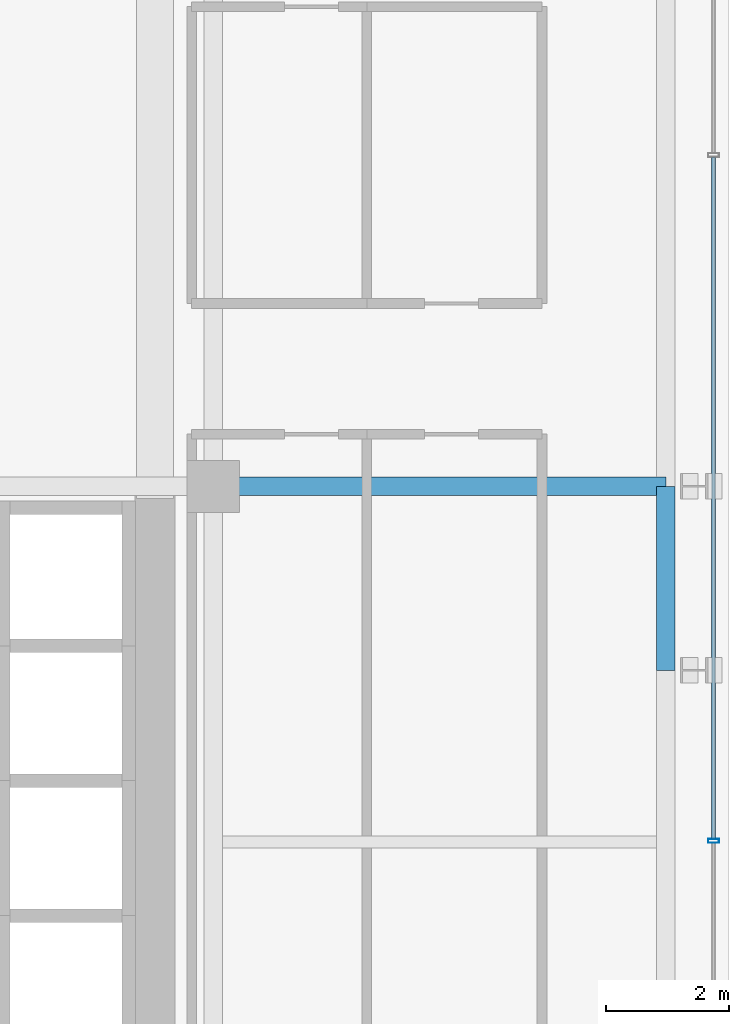
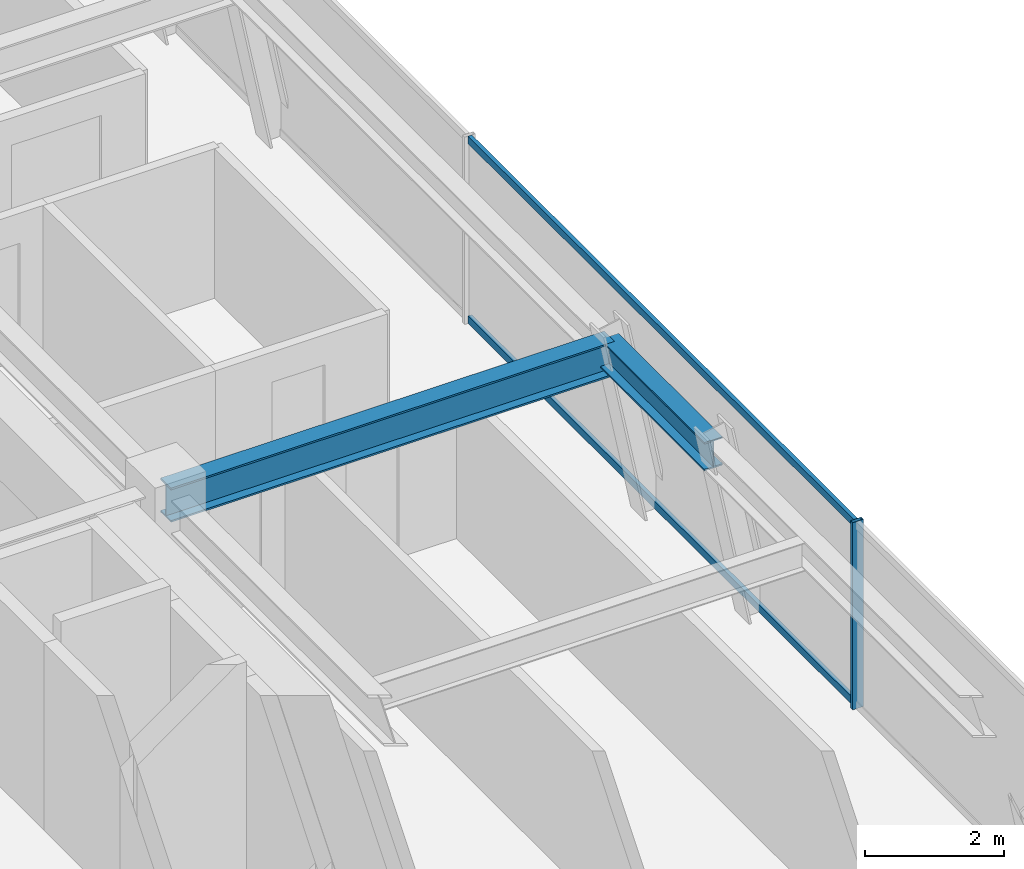
# One storey, part 15 of 35: 3 members, 2 beams, 1 element without a shape of its own.
"""IFC4 building model written with IfcOpenShell, lengths in metres."""

from ifc_helpers import new_model, si_unit, direction, frame, origin, origin_2d, place, context, subcontext, project, spatial, hollow_rectangle, i_section, extrude, source, transform, mapped, material, material_profile, profile_set, type_object, element, aggregate, save


model = new_model("IFC4")

# Units and contexts
model_context = context("Model", 3, precision=1e-05, world=origin(), true_north=direction((0.0, 1.0)))
body_context = subcontext(model_context, "Body", "Model", "MODEL_VIEW")
ifc_project = project(units=[si_unit("LENGTHUNIT", "METRE"), si_unit("AREAUNIT", "SQUARE_METRE"), si_unit("VOLUMEUNIT", "CUBIC_METRE"), si_unit("PLANEANGLEUNIT", "RADIAN"), si_unit("MASSUNIT", "GRAM", prefix="KILO")], contexts=[model_context])

# Site, building, storey
site_placement = place(None, origin())
site = spatial("IfcSite", under=ifc_project, at=site_placement, CompositionType="ELEMENT")
building_placement = place(site_placement, origin())
building = spatial("IfcBuilding", under=site, at=building_placement, Name="Nahalor Promenade Grand Hotel", CompositionType="ELEMENT")
storey_placement = place(building_placement, frame((0.0, 0.0, 79.85009765625)))
storey = spatial("IfcBuildingStorey", under=building, at=storey_placement, Name="L19", CompositionType="ELEMENT", Elevation=79.85009765625)

# Beams
ifc_material_1 = material(Name="Steel S355JR", Category="steel")
ifc_material_profile_1 = material_profile(ifc_material_1, i_section(OverallWidth=0.3, OverallDepth=0.5, WebThickness=0.0145, FlangeThickness=0.028, at=origin_2d()), Name="HEB 500")
ifc_profile_set_1 = profile_set([ifc_material_profile_1], Name="Steel S355JR")
beam_type_1 = type_object("IfcBeamType", Name="Beam-Spandrel-HEB500", PredefinedType="SPANDREL", material=ifc_profile_set_1)
shared_shape_1 = source(origin(), body_context, "Body", "SweptSolid", [
    extrude(i_section(OverallWidth=0.3, OverallDepth=0.5, WebThickness=0.0145, FlangeThickness=0.028, at=origin_2d()), origin(), (0.0, 0.0, 1.0), 3.0),
])
beam_1_placement = place(storey_placement, frame((24.3798828125, -8.39990234375, 3.039794921875), z_axis=(0.0, 1.0, 0.0), x_axis=(-1.0, 0.0, 0.0)))
element("IfcBeam", 1, at=beam_1_placement, inside=storey, type_object=beam_type_1, Name="BM-L19-SP-E-1", PredefinedType="SPANDREL", context=body_context, shape_type="MappedRepresentation", body=[
    mapped(shared_shape_1, transform((0.0, 0.0, 0.0), scale=1.0)),
])
ifc_material_profile_2 = material_profile(ifc_material_1, i_section(OverallWidth=0.3, OverallDepth=0.6, WebThickness=0.0155, FlangeThickness=0.03, at=origin_2d()), Name="HEB 600")
ifc_profile_set_2 = profile_set([ifc_material_profile_2], Name="Steel S355JR")
beam_type_2 = type_object("IfcBeamType", Name="Beam-Girder-HEB600", PredefinedType="BEAM", material=ifc_profile_set_2)
shared_shape_2 = source(origin(), body_context, "Body", "SweptSolid", [
    extrude(i_section(OverallWidth=0.3, OverallDepth=0.6, WebThickness=0.0155, FlangeThickness=0.03, at=origin_2d()), origin(), (0.0, 0.0, 1.0), 7.3798828125),
])
beam_2_placement = place(storey_placement, frame((17.0, -5.39990234375, 2.989990234375), z_axis=(1.0, 0.0, 0.0), x_axis=(0.0, 1.0, 0.0)))
element("IfcBeam", 2, at=beam_2_placement, inside=storey, type_object=beam_type_2, Name="BM-L19-GX-1-6", PredefinedType="BEAM", context=body_context, shape_type="MappedRepresentation", body=[
    mapped(shared_shape_2, transform((0.0, 0.0, 0.0), scale=1.0)),
])

# Curtain wall, members
ifc_material_2 = material(Name="Anodised Bronze Aluminium EN AW-6063 T6", Category="aluminium")
curtain_wall_type = type_object("IfcCurtainWallType", Name="CW2 Typical Hotel Flush Bronze Unitised Curtain Wall", PredefinedType="USERDEFINED", material=ifc_material_2)
curtain_wall_placement = place(storey_placement, origin())
curtain_wall = element("IfcCurtainWall", 3, at=curtain_wall_placement, inside=storey, type_object=curtain_wall_type, Name="L19 Curtain Wall CW-L19-E-1", ObjectType="UNITISED_CURTAIN_WALL", PredefinedType="USERDEFINED")
ifc_material_profile_3 = material_profile(ifc_material_2, hollow_rectangle(XDim=0.065, YDim=0.13, WallThickness=0.004, at=origin_2d()), Name="CWT 65x130x4")
ifc_profile_set_3 = profile_set([ifc_material_profile_3], Name="Anodised Bronze Aluminium EN AW-6063 T6")
member_type_1 = type_object("IfcMemberType", Name="CWT2 Typical Bronze Transom 65x130", PredefinedType="USERDEFINED", material=ifc_profile_set_3)
shared_shape_3 = source(origin(), body_context, "Body", "SweptSolid", [
    extrude(hollow_rectangle(XDim=0.065, YDim=0.13, WallThickness=0.004, at=origin_2d()), origin(), (0.0, 0.0, 1.0), 11.114990234375),
])
member_1_placement = place(storey_placement, frame((25.159912109375, -11.1474609375, 0.06494140625), z_axis=(0.0, 1.0, 0.0), x_axis=(-1.0, 0.0, 0.0)))
member_1 = element("IfcMember", 4, at=member_1_placement, type_object=member_type_1, Name="CW-L19-E-1 Transom 1-0", ObjectType="TRANSOM", PredefinedType="USERDEFINED", context=body_context, shape_type="MappedRepresentation", body=[
    mapped(shared_shape_3, transform((0.0, 0.0, 0.0), scale=1.0)),
])
member_2_placement = place(storey_placement, frame((25.159912109375, -11.1474609375, 3.224853515625), z_axis=(0.0, 1.0, 0.0), x_axis=(-1.0, 0.0, 0.0)))
member_2 = element("IfcMember", 5, at=member_2_placement, type_object=member_type_1, Name="CW-L19-E-1 Transom 1-1", ObjectType="TRANSOM", PredefinedType="USERDEFINED", context=body_context, shape_type="MappedRepresentation", body=[
    mapped(shared_shape_3, transform((0.0, 0.0, 0.0), scale=1.0)),
])
ifc_material_profile_4 = material_profile(ifc_material_2, hollow_rectangle(XDim=0.065, YDim=0.18, WallThickness=0.004, at=origin_2d()), Name="CWM 65x180x4")
ifc_profile_set_4 = profile_set([ifc_material_profile_4], Name="Anodised Bronze Aluminium EN AW-6063 T6")
member_type_2 = type_object("IfcMemberType", Name="CWM2 Typical Bronze Mullion 65x180", PredefinedType="MULLION", material=ifc_profile_set_4)
shared_shape_4 = source(origin(), body_context, "Body", "SweptSolid", [
    extrude(hollow_rectangle(XDim=0.065, YDim=0.18, WallThickness=0.004, at=origin_2d()), origin(), (0.0, 0.0, 1.0), 3.289794921875),
])
member_3_placement = place(storey_placement, frame((25.159912109375, -11.179931640625, 0.0), z_axis=(0.0, 0.0, 1.0), x_axis=(0.0, 1.0, 0.0)))
member_3 = element("IfcMember", 6, at=member_3_placement, type_object=member_type_2, Name="CW-L19-E-1 Mullion 1", PredefinedType="MULLION", context=body_context, shape_type="MappedRepresentation", body=[
    mapped(shared_shape_4, transform((0.0, 0.0, 0.0), scale=1.0)),
])
aggregate(curtain_wall, [member_3, member_1, member_2])

save(model, "model.ifc")
